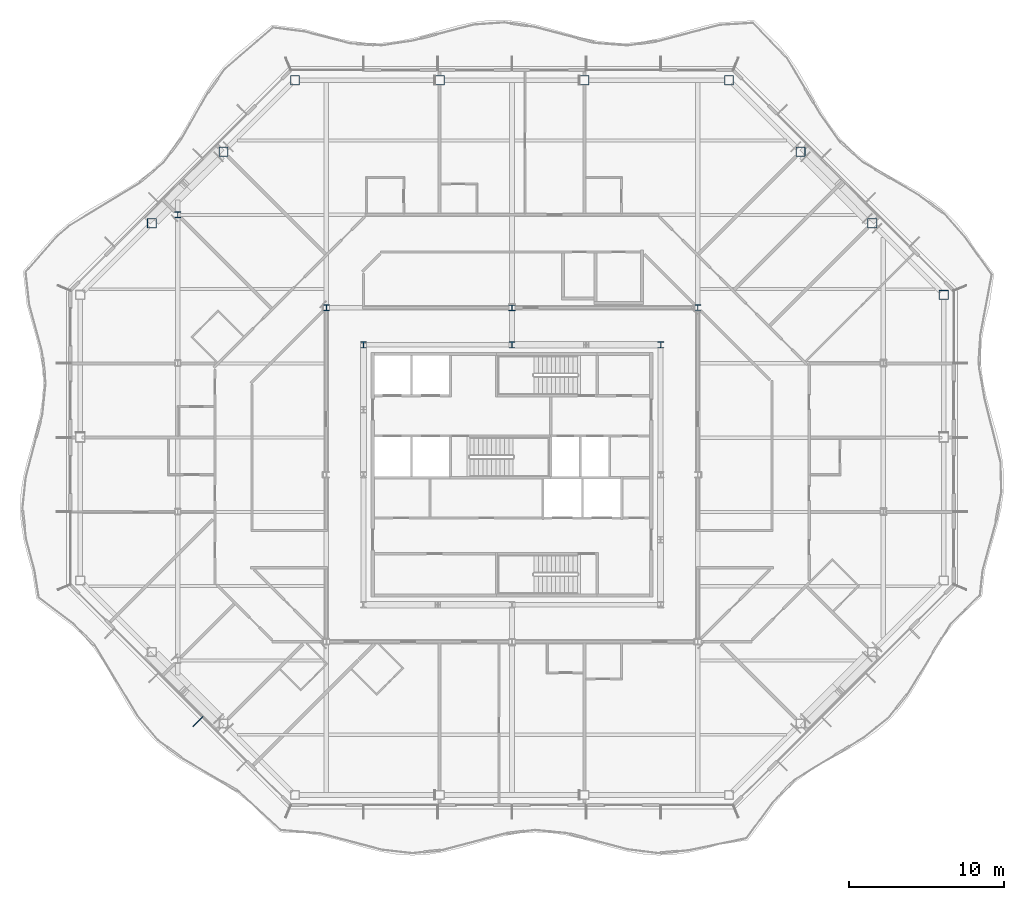
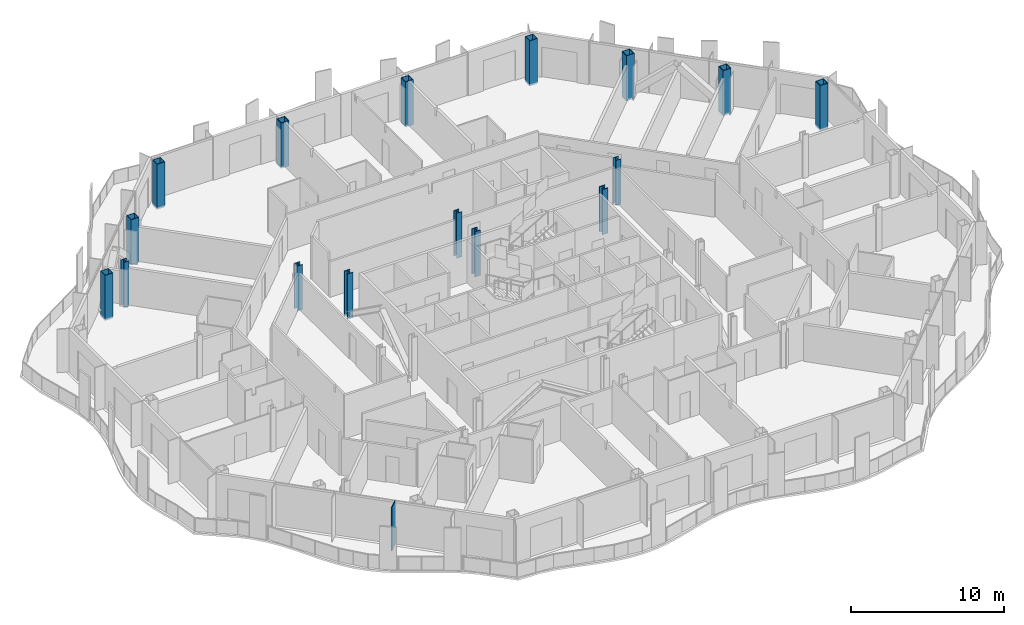
# One storey, part 2 of 21: 16 columns, 1 member, 1 element without a shape of its own.
"""IFC4 building model written with IfcOpenShell, lengths in metres."""

from ifc_helpers import new_model, si_unit, direction, frame, origin, origin_2d, place, context, subcontext, project, spatial, rectangle, hollow_rectangle, i_section, extrude, material, material_profile, profile_set, type_object, element, aggregate, save


model = new_model("IFC4")

# Units and contexts
model_context = context("Model", 3, precision=1e-05, world=origin(), true_north=direction((0.0, 1.0)))
body_context = subcontext(model_context, "Body", "Model", "MODEL_VIEW")
ifc_project = project(units=[si_unit("LENGTHUNIT", "METRE"), si_unit("AREAUNIT", "SQUARE_METRE"), si_unit("VOLUMEUNIT", "CUBIC_METRE"), si_unit("PLANEANGLEUNIT", "RADIAN"), si_unit("MASSUNIT", "GRAM", prefix="KILO")], contexts=[model_context])

# Site, building, storey
site_placement = place(None, origin())
site = spatial("IfcSite", under=ifc_project, at=site_placement, CompositionType="ELEMENT")
building_placement = place(site_placement, origin())
building = spatial("IfcBuilding", under=site, at=building_placement, Name="Cairn Pilgrim Tower", CompositionType="ELEMENT")
storey_placement = place(building_placement, frame((0.0, 0.0, 154.199951171875)))
storey = spatial("IfcBuildingStorey", under=building, at=storey_placement, Name="L38", CompositionType="ELEMENT", Elevation=154.199951171875)

# Columns
ifc_material_1 = material(Name="Structural steel S460M", Category="steel")
ifc_material_profile_1 = material_profile(ifc_material_1, hollow_rectangle(XDim=0.60009765625, YDim=0.60009765625, WallThickness=0.034912109375, at=origin_2d()), Name="BOX 600x600x35")
ifc_profile_set_1 = profile_set([ifc_material_profile_1], Name="Structural steel S460M")
column_type_1 = type_object("IfcColumnType", Name="BOX 600x600x35", PredefinedType="COLUMN", material=ifc_profile_set_1)
for number, where, z_axis, x_axis, name in (
    (1, (35.10009765625, 14.027099609375, -0.14990234375), (0.0, 0.0, 1.0), (1.0, 0.0, 0.0), "PC2-NE1"),
    (2, (30.4755859375, 18.651611328125, -0.14990234375), (0.0, 0.0, 1.0), (1.0, 0.0, 0.0), "PC2-NE2"),
    (3, (25.8515625, 23.275634765625, -0.14990234375), (0.0, 0.0, 1.0), (1.0, 0.0, 0.0), "PC2-NE3"),
    (4, (21.227294921875, 27.89990234375, -0.14990234375), (0.0, 0.0, 1.0), (1.0, 0.0, 0.0), "PC2-N1"),
    (5, (11.875732421875, 27.89990234375, -0.14990234375), (0.0, 0.0, 1.0), (1.0, 0.0, 0.0), "PC2-N2"),
    (6, (2.5244140625, 27.89990234375, -0.14990234375), (0.0, 0.0, 1.0), (1.0, 0.0, 0.0), "PC2-N3"),
    (7, (-6.8271484375, 27.89990234375, -0.14990234375), (0.0, 0.0, 1.0), (1.0, 0.0, 0.0), "PC2-NW1"),
    (8, (-11.451416015625, 23.275634765625, -0.14990234375), (0.0, 0.0, 1.0), (1.0, 0.0, 0.0), "PC2-NW2"),
    (9, (-16.07568359375, 18.651611328125, -0.14990234375), (0.0, 0.0, 1.0), (1.0, 0.0, 0.0), "PC2-NW3"),
):
    element("IfcColumn", number, at=place(storey_placement, frame(where, z_axis=z_axis, x_axis=x_axis)), inside=storey, type_object=column_type_1, Name=name, PredefinedType="COLUMN", context=body_context, shape_type="SweptSolid", body=[
        extrude(hollow_rectangle(XDim=0.60009765625, YDim=0.60009765625, WallThickness=0.034912109375, at=origin_2d()), origin(), (0.0, 0.0, 1.0), 3.599853515625),
    ])
ifc_material_2 = material(Name="Structural steel S355J2", Category="steel")
ifc_material_profile_2 = material_profile(ifc_material_2, i_section(OverallWidth=0.39892578125, OverallDepth=0.39306640625, WebThickness=0.022705078125, FlangeThickness=0.03662109375, FilletRadius=0.014892578125, at=origin_2d()), Name="HD 400x287")
ifc_profile_set_2 = profile_set([ifc_material_profile_2], Name="Structural steel S355J2")
column_type_2 = type_object("IfcColumnType", Name="HD 400x287", PredefinedType="COLUMN", material=ifc_profile_set_2)
for number, where, z_axis, x_axis, name in (
    (10, (-4.800048828125, 13.199951171875, -0.14990234375), (0.0, 0.0, 1.0), (1.0, 0.0, 0.0), "IC-6"),
    (11, (7.199951171875, 13.199951171875, -0.14990234375), (0.0, 0.0, 1.0), (1.0, 0.0, 0.0), "IC-7"),
    (12, (19.199951171875, 13.199951171875, -0.14990234375), (0.0, 0.0, 1.0), (1.0, 0.0, 0.0), "IC-8"),
    (13, (-14.39990234375, 19.199951171875, -0.14990234375), (0.0, 0.0, 1.0), (1.0, 0.0, 0.0), "WC-WW+4"),
):
    element("IfcColumn", number, at=place(storey_placement, frame(where, z_axis=z_axis, x_axis=x_axis)), inside=storey, type_object=column_type_2, Name=name, PredefinedType="COLUMN", context=body_context, shape_type="SweptSolid", body=[
        extrude(i_section(OverallWidth=0.39892578125, OverallDepth=0.39306640625, WebThickness=0.022705078125, FlangeThickness=0.03662109375, FilletRadius=0.014892578125, at=origin_2d()), origin(), (0.0, 0.0, 1.0), 3.599853515625),
    ])
ifc_material_profile_3 = material_profile(ifc_material_1, i_section(OverallWidth=0.416015625, OverallDepth=0.446044921875, WebThickness=0.0390625, FlangeThickness=0.062744140625, FilletRadius=0.014892578125, at=origin_2d()), Name="HD 400x509")
ifc_profile_set_3 = profile_set([ifc_material_profile_3], Name="Structural steel S460M")
column_type_3 = type_object("IfcColumnType", Name="HD 400x509", PredefinedType="COLUMN", material=ifc_profile_set_3)
for number, where, z_axis, x_axis, name in (
    (14, (-2.39990234375, 10.800048828125, -0.14990234375), (0.0, 0.0, 1.0), (1.0, 0.0, 0.0), "KC-6"),
    (15, (7.199951171875, 10.800048828125, -0.14990234375), (0.0, 0.0, 1.0), (1.0, 0.0, 0.0), "KC-7"),
    (16, (16.800048828125, 10.800048828125, -0.14990234375), (0.0, 0.0, 1.0), (1.0, 0.0, 0.0), "KC-8"),
):
    element("IfcColumn", number, at=place(storey_placement, frame(where, z_axis=z_axis, x_axis=x_axis)), inside=storey, type_object=column_type_3, Name=name, PredefinedType="COLUMN", context=body_context, shape_type="SweptSolid", body=[
        extrude(i_section(OverallWidth=0.416015625, OverallDepth=0.446044921875, WebThickness=0.0390625, FlangeThickness=0.062744140625, FilletRadius=0.014892578125, at=origin_2d()), origin(), (0.0, 0.0, 1.0), 3.599853515625),
    ])

# Curtain wall, member
ifc_material_3 = material(Name="Aluminium alloy 6063-T6 bronze anodised with Bronze tinted laminated low-E glass 8+16+8.8", Category="aluminium")
curtain_wall_type = type_object("IfcCurtainWallType", Name="CHAMFER CORNER CURTAIN WALL", PredefinedType="NOTDEFINED", material=ifc_material_3)
curtain_wall_placement = place(storey_placement, origin())
curtain_wall = element("IfcCurtainWall", 17, at=curtain_wall_placement, inside=storey, type_object=curtain_wall_type, Name="Chamfer Corner Curtain Wall SW", PredefinedType="NOTDEFINED")
ifc_material_4 = material(Name="Aluminium alloy 6063-T6 bronze anodised", Category="aluminium")
ifc_material_profile_4 = material_profile(ifc_material_4, rectangle(XDim=0.89990234375, YDim=0.06005859375, at=origin_2d()), Name="FIN MULLION 60x900 BRONZE")
ifc_profile_set_4 = profile_set([ifc_material_profile_4], Name="Aluminium alloy 6063-T6 bronze anodised")
member_type = type_object("IfcMemberType", Name="FIN MULLION 60x900 BRONZE", PredefinedType="MULLION", material=ifc_profile_set_4)
member_placement = place(storey_placement, frame((-13.094970703125, -13.545654296875, 0.0), z_axis=(0.0, 0.0, 1.0), x_axis=(-0.707106781187, -0.707106781187, 0.0)))
member = element("IfcMember", 18, at=member_placement, type_object=member_type, Name="Fin mullion SW4", PredefinedType="MULLION", context=body_context, shape_type="SweptSolid", body=[
    extrude(rectangle(XDim=0.89990234375, YDim=0.06005859375, at=origin_2d()), origin(), (0.0, 0.0, 1.0), 3.449951171875),
])
aggregate(curtain_wall, [member])

save(model, "model.ifc")
